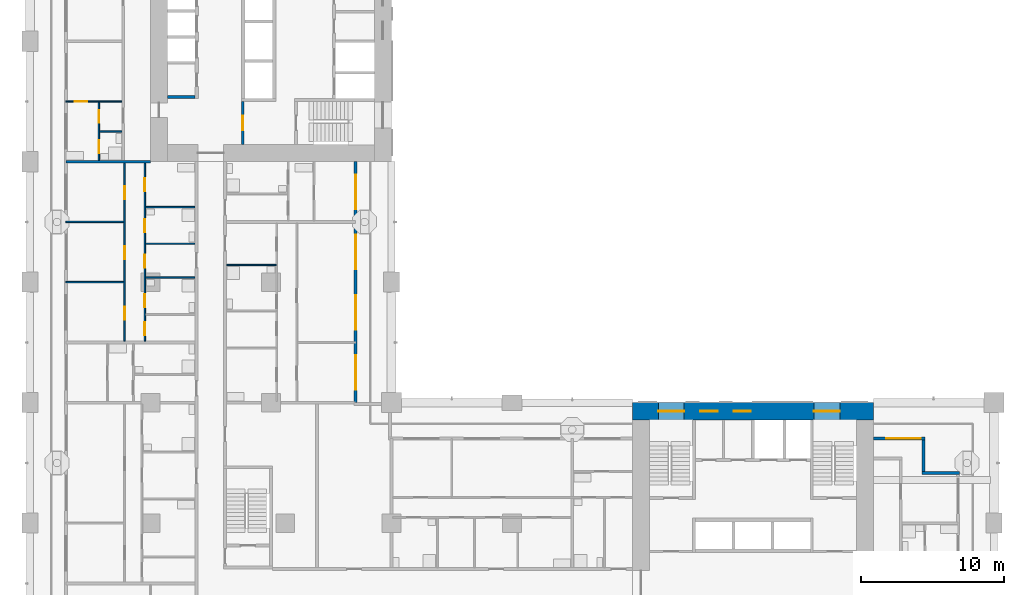
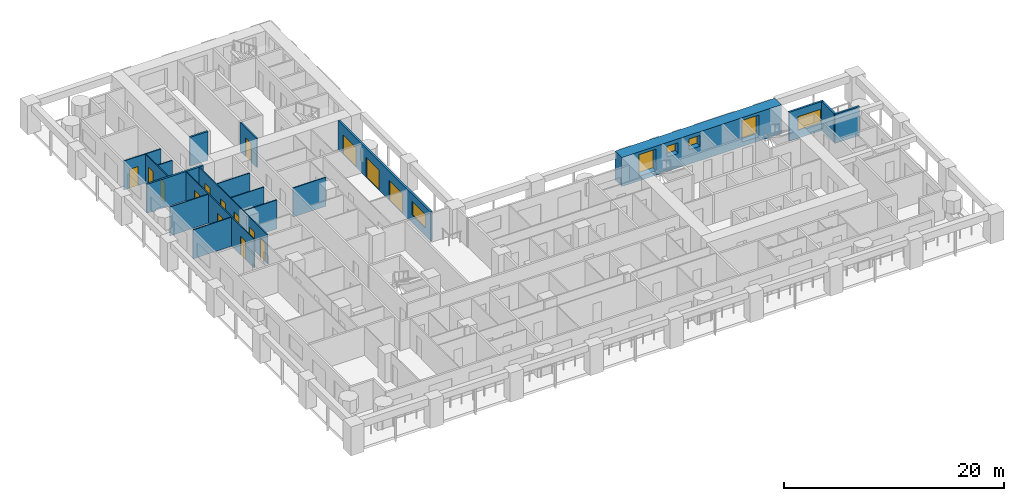
# One storey, part 8 of 21: 19 walls, 15 doors, 6 windows, 21 openings.
"""IFC4 building model written with IfcOpenShell, lengths in metres."""

from ifc_helpers import new_model, si_unit, direction, frame, frame_2d, origin, place, context, subcontext, project, spatial, rectangle, extrude, material, layer, layer_set, type_object, element, fill, save


model = new_model("IFC4")

# Units and contexts
model_context = context("Model", 3, precision=1e-05, world=origin(), true_north=direction((0.0, 1.0)))
body_context = subcontext(model_context, "Body", "Model", "MODEL_VIEW")
ifc_project = project(units=[si_unit("LENGTHUNIT", "METRE"), si_unit("AREAUNIT", "SQUARE_METRE"), si_unit("VOLUMEUNIT", "CUBIC_METRE"), si_unit("PLANEANGLEUNIT", "RADIAN"), si_unit("MASSUNIT", "GRAM", prefix="KILO")], contexts=[model_context])

# Site, building, storey
site_placement = place(None, origin())
site = spatial("IfcSite", under=ifc_project, at=site_placement, CompositionType="ELEMENT")
building_placement = place(site_placement, origin())
building = spatial("IfcBuilding", under=site, at=building_placement, Name="Vermilion Gate Residences", CompositionType="ELEMENT")
storey_placement = place(building_placement, frame((0.0, 0.0, 67.199951171875)))
storey = spatial("IfcBuildingStorey", under=building, at=storey_placement, Name="L16", CompositionType="ELEMENT", Elevation=67.199951171875)

# Wall, opening, door
ifc_material_1 = material(Name="Masonry blockwork", Category="masonry")
ifc_layer_1 = layer(ifc_material_1, 0.14990234375)
ifc_layer_set_1 = layer_set([ifc_layer_1], Name="BLOCKWORK PARTITION 150 EI 120")
wall_type_1 = type_object("IfcWallType", Name="BLOCKWORK PARTITION 150 EI 120", PredefinedType="PARTITIONING", material=ifc_layer_set_1)
wall_1_placement = place(storey_placement, frame((14.824951171875, 46.199951171875, 0.0), z_axis=(0.0, 0.0, 1.0), x_axis=(0.0, -1.0, 0.0)))
wall_1 = element("IfcWall", 1, at=wall_1_placement, inside=storey, type_object=wall_type_1, Name="Core room partition B16-VE-S", PredefinedType="PARTITIONING", context=body_context, shape_type="SweptSolid", body=[
    extrude(rectangle(XDim=3.0, YDim=0.14990234375, at=frame_2d((1.5, 0.0))), origin(), (0.0, 0.0, 1.0), 3.219970703125),
])
opening_1_placement = place(wall_1_placement, frame((1.0, 0.0, 0.0)))
opening_1 = element("IfcOpeningElement", 2, at=opening_1_placement, cuts=wall_1, Name="Opening DK16114", PredefinedType="OPENING", context=body_context, shape_type="SweptSolid", body=[
    extrude(rectangle(XDim=1.0, YDim=2.10009765625, at=frame_2d((0.5, 1.050048828125))), frame((0.0, 0.0849609375, 0.0), z_axis=(0.0, -1.0, 0.0), x_axis=(1.0, 0.0, 0.0)), (0.0, 0.0, 1.0), 0.169921875),
])
ifc_material_2 = material(Name="Steel", Category="steel")
door_type_1 = type_object("IfcDoorType", Name="FIRE DOOR FD60 1000 X 2100", OperationType="SINGLE_SWING_LEFT", PredefinedType="DOOR", material=ifc_material_2)
door_1_placement = place(opening_1_placement, frame((1.0, 0.0, 0.0), z_axis=(0.0, 0.0, 1.0), x_axis=(-1.0, 0.0, 0.0)))
door_1 = element("IfcDoor", 3, at=door_1_placement, inside=storey, type_object=door_type_1, Name="Stair vestibule door B16", OperationType="SINGLE_SWING_LEFT", OverallHeight=2.10009765625, OverallWidth=1.0, PredefinedType="DOOR", context=body_context, shape_type="SweptSolid", body=[
    extrude(rectangle(XDim=1.0, YDim=2.10009765625, at=frame_2d((0.5, 1.050048828125))), frame((0.0, 0.02490234375, 0.0), z_axis=(0.0, -1.0, 0.0), x_axis=(1.0, 0.0, 0.0)), (0.0, 0.0, 1.0), 0.050048828125),
])
fill(opening_1, door_1)

# Walls
ifc_material_3 = material(Name="Insulated steel stud wall with terracotta rainscreen", Category="masonry")
ifc_layer_2 = layer(ifc_material_3, 0.199951171875)
ifc_layer_set_2 = layer_set([ifc_layer_2], Name="EXTERNAL WALL 200 TERRACOTTA RAINSCREEN")
wall_type_2 = type_object("IfcWallType", Name="EXTERNAL WALL 200 TERRACOTTA RAINSCREEN", PredefinedType="SOLIDWALL", material=ifc_layer_set_2)
wall_2_placement = place(storey_placement, frame((64.800048828125, 20.300048828125, 0.0), z_axis=(0.0, 0.0, 1.0), x_axis=(-1.0, 0.0, 0.0)))
element("IfcWall", 4, at=wall_2_placement, inside=storey, type_object=wall_type_2, Name="External wall", PredefinedType="SOLIDWALL", context=body_context, shape_type="SweptSolid", body=[
    extrude(rectangle(XDim=2.60009765625, YDim=0.199951171875, at=frame_2d((1.300048828125, 0.0))), origin(), (0.0, 0.0, 1.0), 3.219970703125),
])
wall_3_placement = place(storey_placement, frame((62.300048828125, 20.39990234375, 0.0), z_axis=(0.0, 0.0, 1.0), x_axis=(0.0, 1.0, 0.0)))
element("IfcWall", 5, at=wall_3_placement, inside=storey, type_object=wall_type_2, Name="External wall", PredefinedType="SOLIDWALL", context=body_context, shape_type="SweptSolid", body=[
    extrude(rectangle(XDim=2.2001953125, YDim=0.199951171875, at=frame_2d((1.10009765625, 0.0))), origin(), (0.0, 0.0, 1.0), 3.219970703125),
])

# Wall, opening, window
wall_4_placement = place(storey_placement, frame((62.39990234375, 22.699951171875, 0.0), z_axis=(0.0, 0.0, 1.0), x_axis=(-1.0, 0.0, 0.0)))
wall_4 = element("IfcWall", 6, at=wall_4_placement, inside=storey, type_object=wall_type_2, Name="External wall", PredefinedType="SOLIDWALL", context=body_context, shape_type="SweptSolid", body=[
    extrude(rectangle(XDim=3.599853515625, YDim=0.199951171875, at=frame_2d((1.7998046875, 0.0))), origin(), (0.0, 0.0, 1.0), 3.219970703125),
])
opening_2_placement = place(wall_4_placement, frame((0.300048828125, 0.0, 0.89990234375)))
opening_2 = element("IfcOpeningElement", 7, at=opening_2_placement, cuts=wall_4, Name="Opening WE16032", PredefinedType="OPENING", context=body_context, shape_type="SweptSolid", body=[
    extrude(rectangle(XDim=2.39990234375, YDim=1.5, at=frame_2d((1.199951171875, 0.75))), frame((0.0, 0.10986328125, 0.0), z_axis=(0.0, -1.0, 0.0), x_axis=(1.0, 0.0, 0.0)), (0.0, 0.0, 1.0), 0.219970703125),
])
ifc_material_4 = material(Name="Aluminium and clear glass", Category="aluminium")
window_type_1 = type_object("IfcWindowType", Name="WINDOW 2400 X 1500", PartitioningType="SINGLE_PANEL", PredefinedType="WINDOW", material=ifc_material_4)
window_1_placement = place(opening_2_placement, origin())
window_1 = element("IfcWindow", 8, at=window_1_placement, inside=storey, type_object=window_type_1, Name="Window", OverallHeight=1.5, OverallWidth=2.39990234375, PartitioningType="SINGLE_PANEL", PredefinedType="WINDOW", context=body_context, shape_type="SweptSolid", body=[
    extrude(rectangle(XDim=2.39990234375, YDim=1.5, at=frame_2d((1.199951171875, 0.75))), frame((0.0, 0.030029296875, 0.0), z_axis=(0.0, -1.0, 0.0), x_axis=(1.0, 0.0, 0.0)), (0.0, 0.0, 1.0), 0.06005859375),
])
fill(opening_2, window_1)

# Wall, openings, doors, window
wall_5_placement = place(storey_placement, frame((22.699951171875, 25.199951171875, 0.0), z_axis=(0.0, 0.0, 1.0), x_axis=(0.0, 1.0, 0.0)))
wall_5 = element("IfcWall", 9, at=wall_5_placement, inside=storey, type_object=wall_type_2, Name="External wall", PredefinedType="SOLIDWALL", context=body_context, shape_type="SweptSolid", body=[
    extrude(rectangle(XDim=16.800048828125, YDim=0.199951171875, at=frame_2d((8.39990234375, 0.0))), origin(), (0.0, 0.0, 1.0), 3.219970703125),
])
opening_3_placement = place(wall_5_placement, frame((0.89990234375, 0.0, 0.89990234375)))
opening_3 = element("IfcOpeningElement", 10, at=opening_3_placement, cuts=wall_5, Name="Opening WE16037", PredefinedType="OPENING", context=body_context, shape_type="SweptSolid", body=[
    extrude(rectangle(XDim=2.39990234375, YDim=1.5, at=frame_2d((1.199951171875, 0.75))), frame((0.0, 0.10986328125, 0.0), z_axis=(0.0, -1.0, 0.0), x_axis=(1.0, 0.0, 0.0)), (0.0, 0.0, 1.0), 0.219970703125),
])
opening_4_placement = place(wall_5_placement, frame((5.10009765625, 0.0, 0.0)))
opening_4 = element("IfcOpeningElement", 11, at=opening_4_placement, cuts=wall_5, Name="Opening DE16038", PredefinedType="OPENING", context=body_context, shape_type="SweptSolid", body=[
    extrude(rectangle(XDim=2.39990234375, YDim=2.199951171875, at=frame_2d((1.199951171875, 1.10009765625))), frame((0.0, 0.10986328125, 0.0), z_axis=(0.0, -1.0, 0.0), x_axis=(1.0, 0.0, 0.0)), (0.0, 0.0, 1.0), 0.219970703125),
])
opening_5_placement = place(wall_5_placement, frame((9.300048828125, 0.0, 0.0)))
opening_5 = element("IfcOpeningElement", 12, at=opening_5_placement, cuts=wall_5, Name="Opening DE16039", PredefinedType="OPENING", context=body_context, shape_type="SweptSolid", body=[
    extrude(rectangle(XDim=2.39990234375, YDim=2.199951171875, at=frame_2d((1.199951171875, 1.10009765625))), frame((0.0, 0.10986328125, 0.0), z_axis=(0.0, -1.0, 0.0), x_axis=(1.0, 0.0, 0.0)), (0.0, 0.0, 1.0), 0.219970703125),
])
opening_6_placement = place(wall_5_placement, frame((13.5, 0.0, 0.0)))
opening_6 = element("IfcOpeningElement", 13, at=opening_6_placement, cuts=wall_5, Name="Opening DE16040", PredefinedType="OPENING", context=body_context, shape_type="SweptSolid", body=[
    extrude(rectangle(XDim=2.39990234375, YDim=2.199951171875, at=frame_2d((1.199951171875, 1.10009765625))), frame((0.0, 0.10986328125, 0.0), z_axis=(0.0, -1.0, 0.0), x_axis=(1.0, 0.0, 0.0)), (0.0, 0.0, 1.0), 0.219970703125),
])
ifc_material_5 = material(Name="Aluminium and clear glass", Category="aluminium")
door_type_2 = type_object("IfcDoorType", Name="SLIDING GLAZED DOOR 2400 X 2200", OperationType="DOUBLE_DOOR_SLIDING", PredefinedType="DOOR", material=ifc_material_5)
door_2_placement = place(opening_4_placement, origin())
door_2 = element("IfcDoor", 14, at=door_2_placement, inside=storey, type_object=door_type_2, Name="Loggia sliding door", OperationType="DOUBLE_DOOR_SLIDING", OverallHeight=2.199951171875, OverallWidth=2.39990234375, PredefinedType="DOOR", context=body_context, shape_type="SweptSolid", body=[
    extrude(rectangle(XDim=2.39990234375, YDim=2.199951171875, at=frame_2d((1.199951171875, 1.10009765625))), frame((0.0, 0.02490234375, 0.0), z_axis=(0.0, -1.0, 0.0), x_axis=(1.0, 0.0, 0.0)), (0.0, 0.0, 1.0), 0.050048828125),
])
fill(opening_4, door_2)
door_3_placement = place(opening_5_placement, origin())
door_3 = element("IfcDoor", 15, at=door_3_placement, inside=storey, type_object=door_type_2, Name="Loggia sliding door", OperationType="DOUBLE_DOOR_SLIDING", OverallHeight=2.199951171875, OverallWidth=2.39990234375, PredefinedType="DOOR", context=body_context, shape_type="SweptSolid", body=[
    extrude(rectangle(XDim=2.39990234375, YDim=2.199951171875, at=frame_2d((1.199951171875, 1.10009765625))), frame((0.0, 0.02490234375, 0.0), z_axis=(0.0, -1.0, 0.0), x_axis=(1.0, 0.0, 0.0)), (0.0, 0.0, 1.0), 0.050048828125),
])
fill(opening_5, door_3)
door_4_placement = place(opening_6_placement, origin())
door_4 = element("IfcDoor", 16, at=door_4_placement, inside=storey, type_object=door_type_2, Name="Loggia sliding door", OperationType="DOUBLE_DOOR_SLIDING", OverallHeight=2.199951171875, OverallWidth=2.39990234375, PredefinedType="DOOR", context=body_context, shape_type="SweptSolid", body=[
    extrude(rectangle(XDim=2.39990234375, YDim=2.199951171875, at=frame_2d((1.199951171875, 1.10009765625))), frame((0.0, 0.02490234375, 0.0), z_axis=(0.0, -1.0, 0.0), x_axis=(1.0, 0.0, 0.0)), (0.0, 0.0, 1.0), 0.050048828125),
])
fill(opening_6, door_4)
window_2_placement = place(opening_3_placement, origin())
window_2 = element("IfcWindow", 17, at=window_2_placement, inside=storey, type_object=window_type_1, Name="Window", OverallHeight=1.5, OverallWidth=2.39990234375, PartitioningType="SINGLE_PANEL", PredefinedType="WINDOW", context=body_context, shape_type="SweptSolid", body=[
    extrude(rectangle(XDim=2.39990234375, YDim=1.5, at=frame_2d((1.199951171875, 0.75))), frame((0.0, 0.030029296875, 0.0), z_axis=(0.0, -1.0, 0.0), x_axis=(1.0, 0.0, 0.0)), (0.0, 0.0, 1.0), 0.06005859375),
])
fill(opening_3, window_2)

# Walls
ifc_material_6 = material(Name="Plasterboard on steel studs", Category="steel")
ifc_layer_3 = layer(ifc_material_6, 0.10009765625)
ifc_layer_set_3 = layer_set([ifc_layer_3], Name="PARTITION 100")
wall_type_3 = type_object("IfcWallType", Name="PARTITION 100", PredefinedType="PARTITIONING", material=ifc_layer_set_3)
wall_6_placement = place(storey_placement, frame((2.5, 33.60009765625, 0.0), z_axis=(0.0, 0.0, 1.0), x_axis=(1.0, 0.0, 0.0)))
element("IfcWall", 18, at=wall_6_placement, inside=storey, type_object=wall_type_3, Name="Partition", PredefinedType="PARTITIONING", context=body_context, shape_type="SweptSolid", body=[
    extrude(rectangle(XDim=4.050048828125, YDim=0.10009765625, at=frame_2d((2.02490234375, 0.0))), origin(), (0.0, 0.0, 1.0), 3.219970703125),
])
for number, where, z_axis, x_axis, name in (
    (19, (8.050048828125, 33.919921875, 0.0), (0.0, 0.0, 1.0), (1.0, 0.0, 0.0), "Partition"),
    (20, (13.699951171875, 34.800048828125, 0.0), (0.0, 0.0, 1.0), (1.0, 0.0, 0.0), "Partition"),
    (21, (8.050048828125, 36.280029296875, 0.0), (0.0, 0.0, 1.0), (1.0, 0.0, 0.0), "Partition"),
):
    element("IfcWall", number, at=place(storey_placement, frame(where, z_axis=z_axis, x_axis=x_axis)), inside=storey, type_object=wall_type_3, Name=name, PredefinedType="PARTITIONING", context=body_context, shape_type="SweptSolid", body=[
        extrude(rectangle(XDim=3.449951171875, YDim=0.10009765625, at=frame_2d((1.72509765625, 0.0))), origin(), (0.0, 0.0, 1.0), 3.219970703125),
    ])
wall_7_placement = place(storey_placement, frame((2.5, 37.800048828125, 0.0), z_axis=(0.0, 0.0, 1.0), x_axis=(1.0, 0.0, 0.0)))
element("IfcWall", 22, at=wall_7_placement, inside=storey, type_object=wall_type_3, Name="Partition", PredefinedType="PARTITIONING", context=body_context, shape_type="SweptSolid", body=[
    extrude(rectangle(XDim=4.050048828125, YDim=0.10009765625, at=frame_2d((2.02490234375, 0.0))), origin(), (0.0, 0.0, 1.0), 3.219970703125),
])
wall_8_placement = place(storey_placement, frame((8.050048828125, 38.840087890625, 0.0), z_axis=(0.0, 0.0, 1.0), x_axis=(1.0, 0.0, 0.0)))
element("IfcWall", 23, at=wall_8_placement, inside=storey, type_object=wall_type_3, Name="Partition", PredefinedType="PARTITIONING", context=body_context, shape_type="SweptSolid", body=[
    extrude(rectangle(XDim=3.449951171875, YDim=0.10009765625, at=frame_2d((1.72509765625, 0.0))), origin(), (0.0, 0.0, 1.0), 3.219970703125),
])
wall_9_placement = place(storey_placement, frame((4.85009765625, 44.10009765625, 0.0), z_axis=(0.0, 0.0, 1.0), x_axis=(1.0, 0.0, 0.0)))
element("IfcWall", 24, at=wall_9_placement, inside=storey, type_object=wall_type_3, Name="Partition", PredefinedType="PARTITIONING", context=body_context, shape_type="SweptSolid", body=[
    extrude(rectangle(XDim=1.5498046875, YDim=0.10009765625, at=frame_2d((0.77490234375, 0.0))), origin(), (0.0, 0.0, 1.0), 3.219970703125),
])

# Wall, opening, door
wall_10_placement = place(storey_placement, frame((2.5, 46.199951171875, 0.0), z_axis=(0.0, 0.0, 1.0), x_axis=(1.0, 0.0, 0.0)))
wall_10 = element("IfcWall", 25, at=wall_10_placement, inside=storey, type_object=wall_type_3, Name="Partition", PredefinedType="PARTITIONING", context=body_context, shape_type="SweptSolid", body=[
    extrude(rectangle(XDim=3.89990234375, YDim=0.10009765625, at=frame_2d((1.949951171875, 0.0))), origin(), (0.0, 0.0, 1.0), 3.219970703125),
])
opening_7_placement = place(wall_10_placement, frame((0.60009765625, 0.0, 0.0)))
opening_7 = element("IfcOpeningElement", 26, at=opening_7_placement, cuts=wall_10, Name="Opening DA16042", PredefinedType="OPENING", context=body_context, shape_type="SweptSolid", body=[
    extrude(rectangle(XDim=0.89990234375, YDim=2.10009765625, at=frame_2d((0.449951171875, 1.050048828125))), frame((0.0, 0.06005859375, 0.0), z_axis=(0.0, -1.0, 0.0), x_axis=(1.0, 0.0, 0.0)), (0.0, 0.0, 1.0), 0.1201171875),
])
ifc_material_7 = material(Name="Timber", Category="wood")
door_type_3 = type_object("IfcDoorType", Name="INTERIOR DOOR 900 X 2100", OperationType="SINGLE_SWING_LEFT", PredefinedType="DOOR", material=ifc_material_7)
door_5_placement = place(opening_7_placement, frame((0.89990234375, 0.0, 0.0), z_axis=(0.0, 0.0, 1.0), x_axis=(-1.0, 0.0, 0.0)))
door_5 = element("IfcDoor", 27, at=door_5_placement, inside=storey, type_object=door_type_3, Name="Interior door", OperationType="SINGLE_SWING_RIGHT", OverallHeight=2.10009765625, OverallWidth=0.89990234375, PredefinedType="DOOR", context=body_context, shape_type="SweptSolid", body=[
    extrude(rectangle(XDim=0.89990234375, YDim=2.10009765625, at=frame_2d((0.449951171875, 1.050048828125))), frame((0.0, 0.02490234375, 0.0), z_axis=(0.0, -1.0, 0.0), x_axis=(1.0, 0.0, 0.0)), (0.0, 0.0, 1.0), 0.050048828125),
])
fill(opening_7, door_5)

# Wall, openings, doors
wall_11_placement = place(storey_placement, frame((4.800048828125, 42.10009765625, 0.0), z_axis=(0.0, 0.0, 1.0), x_axis=(0.0, 1.0, 0.0)))
wall_11 = element("IfcWall", 28, at=wall_11_placement, inside=storey, type_object=wall_type_3, Name="Partition", PredefinedType="PARTITIONING", context=body_context, shape_type="SweptSolid", body=[
    extrude(rectangle(XDim=4.0498046875, YDim=0.10009765625, at=frame_2d((2.02490234375, 0.0))), origin(), (0.0, 0.0, 1.0), 3.219970703125),
])
opening_8_placement = place(wall_11_placement, frame((2.60009765625, 0.0, 0.0)))
opening_8 = element("IfcOpeningElement", 29, at=opening_8_placement, cuts=wall_11, Name="Opening DA16043", PredefinedType="OPENING", context=body_context, shape_type="SweptSolid", body=[
    extrude(rectangle(XDim=0.89990234375, YDim=2.10009765625, at=frame_2d((0.449951171875, 1.050048828125))), frame((0.0, 0.06005859375, 0.0), z_axis=(0.0, -1.0, 0.0), x_axis=(1.0, 0.0, 0.0)), (0.0, 0.0, 1.0), 0.1201171875),
])
opening_9_placement = place(wall_11_placement, frame((0.5, 0.0, 0.0)))
opening_9 = element("IfcOpeningElement", 30, at=opening_9_placement, cuts=wall_11, Name="Opening DA16044", PredefinedType="OPENING", context=body_context, shape_type="SweptSolid", body=[
    extrude(rectangle(XDim=0.89990234375, YDim=2.10009765625, at=frame_2d((0.449951171875, 1.050048828125))), frame((0.0, 0.06005859375, 0.0), z_axis=(0.0, -1.0, 0.0), x_axis=(1.0, 0.0, 0.0)), (0.0, 0.0, 1.0), 0.1201171875),
])
door_6_placement = place(opening_8_placement, origin())
door_6 = element("IfcDoor", 31, at=door_6_placement, inside=storey, type_object=door_type_3, Name="Interior door", OperationType="SINGLE_SWING_RIGHT", OverallHeight=2.10009765625, OverallWidth=0.89990234375, PredefinedType="DOOR", context=body_context, shape_type="SweptSolid", body=[
    extrude(rectangle(XDim=0.89990234375, YDim=2.10009765625, at=frame_2d((0.449951171875, 1.050048828125))), frame((0.0, 0.02490234375, 0.0), z_axis=(0.0, -1.0, 0.0), x_axis=(1.0, 0.0, 0.0)), (0.0, 0.0, 1.0), 0.050048828125),
])
fill(opening_8, door_6)
door_7_placement = place(opening_9_placement, frame((0.89990234375, 0.0, 0.0), z_axis=(0.0, 0.0, 1.0), x_axis=(-1.0, 0.0, 0.0)))
door_7 = element("IfcDoor", 32, at=door_7_placement, inside=storey, type_object=door_type_3, Name="Interior door", OperationType="SINGLE_SWING_RIGHT", OverallHeight=2.10009765625, OverallWidth=0.89990234375, PredefinedType="DOOR", context=body_context, shape_type="SweptSolid", body=[
    extrude(rectangle(XDim=0.89990234375, YDim=2.10009765625, at=frame_2d((0.449951171875, 1.050048828125))), frame((0.0, 0.02490234375, 0.0), z_axis=(0.0, -1.0, 0.0), x_axis=(1.0, 0.0, 0.0)), (0.0, 0.0, 1.0), 0.050048828125),
])
fill(opening_9, door_7)

wall_12_placement = place(storey_placement, frame((6.60009765625, 29.5, 0.0), z_axis=(0.0, 0.0, 1.0), x_axis=(0.0, 1.0, 0.0)))
wall_12 = element("IfcWall", 33, at=wall_12_placement, inside=storey, type_object=wall_type_3, Name="Partition", PredefinedType="PARTITIONING", context=body_context, shape_type="SweptSolid", body=[
    extrude(rectangle(XDim=12.39990234375, YDim=0.10009765625, at=frame_2d((6.199951171875, 0.0))), origin(), (0.0, 0.0, 1.0), 3.219970703125),
])
opening_10_placement = place(wall_12_placement, frame((1.5, 0.0, 0.0)))
opening_10 = element("IfcOpeningElement", 34, at=opening_10_placement, cuts=wall_12, Name="Opening DA16050", PredefinedType="OPENING", context=body_context, shape_type="SweptSolid", body=[
    extrude(rectangle(XDim=0.89990234375, YDim=2.10009765625, at=frame_2d((0.449951171875, 1.050048828125))), frame((0.0, 0.06005859375, 0.0), z_axis=(0.0, -1.0, 0.0), x_axis=(1.0, 0.0, 0.0)), (0.0, 0.0, 1.0), 0.1201171875),
])
opening_11_placement = place(wall_12_placement, frame((5.699951171875, 0.0, 0.0)))
opening_11 = element("IfcOpeningElement", 35, at=opening_11_placement, cuts=wall_12, Name="Opening DA16051", PredefinedType="OPENING", context=body_context, shape_type="SweptSolid", body=[
    extrude(rectangle(XDim=0.89990234375, YDim=2.10009765625, at=frame_2d((0.449951171875, 1.050048828125))), frame((0.0, 0.06005859375, 0.0), z_axis=(0.0, -1.0, 0.0), x_axis=(1.0, 0.0, 0.0)), (0.0, 0.0, 1.0), 0.1201171875),
])
opening_12_placement = place(wall_12_placement, frame((9.89990234375, 0.0, 0.0)))
opening_12 = element("IfcOpeningElement", 36, at=opening_12_placement, cuts=wall_12, Name="Opening DA16052", PredefinedType="OPENING", context=body_context, shape_type="SweptSolid", body=[
    extrude(rectangle(XDim=0.89990234375, YDim=2.10009765625, at=frame_2d((0.449951171875, 1.050048828125))), frame((0.0, 0.06005859375, 0.0), z_axis=(0.0, -1.0, 0.0), x_axis=(1.0, 0.0, 0.0)), (0.0, 0.0, 1.0), 0.1201171875),
])
door_8_placement = place(opening_10_placement, origin())
door_8 = element("IfcDoor", 37, at=door_8_placement, inside=storey, type_object=door_type_3, Name="Interior door", OperationType="SINGLE_SWING_LEFT", OverallHeight=2.10009765625, OverallWidth=0.89990234375, PredefinedType="DOOR", context=body_context, shape_type="SweptSolid", body=[
    extrude(rectangle(XDim=0.89990234375, YDim=2.10009765625, at=frame_2d((0.449951171875, 1.050048828125))), frame((0.0, 0.02490234375, 0.0), z_axis=(0.0, -1.0, 0.0), x_axis=(1.0, 0.0, 0.0)), (0.0, 0.0, 1.0), 0.050048828125),
])
fill(opening_10, door_8)
door_9_placement = place(opening_11_placement, origin())
door_9 = element("IfcDoor", 38, at=door_9_placement, inside=storey, type_object=door_type_3, Name="Interior door", OperationType="SINGLE_SWING_LEFT", OverallHeight=2.10009765625, OverallWidth=0.89990234375, PredefinedType="DOOR", context=body_context, shape_type="SweptSolid", body=[
    extrude(rectangle(XDim=0.89990234375, YDim=2.10009765625, at=frame_2d((0.449951171875, 1.050048828125))), frame((0.0, 0.02490234375, 0.0), z_axis=(0.0, -1.0, 0.0), x_axis=(1.0, 0.0, 0.0)), (0.0, 0.0, 1.0), 0.050048828125),
])
fill(opening_11, door_9)
door_10_placement = place(opening_12_placement, origin())
door_10 = element("IfcDoor", 39, at=door_10_placement, inside=storey, type_object=door_type_3, Name="Interior door", OperationType="SINGLE_SWING_LEFT", OverallHeight=2.10009765625, OverallWidth=0.89990234375, PredefinedType="DOOR", context=body_context, shape_type="SweptSolid", body=[
    extrude(rectangle(XDim=0.89990234375, YDim=2.10009765625, at=frame_2d((0.449951171875, 1.050048828125))), frame((0.0, 0.02490234375, 0.0), z_axis=(0.0, -1.0, 0.0), x_axis=(1.0, 0.0, 0.0)), (0.0, 0.0, 1.0), 0.050048828125),
])
fill(opening_12, door_10)

wall_13_placement = place(storey_placement, frame((8.0, 29.5, 0.0), z_axis=(0.0, 0.0, 1.0), x_axis=(0.0, 1.0, 0.0)))
wall_13 = element("IfcWall", 40, at=wall_13_placement, inside=storey, type_object=wall_type_3, Name="Partition", PredefinedType="PARTITIONING", context=body_context, shape_type="SweptSolid", body=[
    extrude(rectangle(XDim=12.39990234375, YDim=0.10009765625, at=frame_2d((6.199951171875, 0.0))), origin(), (0.0, 0.0, 1.0), 3.219970703125),
])
opening_13_placement = place(wall_13_placement, frame((5.1201171875, 0.0, 0.0)))
opening_13 = element("IfcOpeningElement", 41, at=opening_13_placement, cuts=wall_13, Name="Opening DA16059", PredefinedType="OPENING", context=body_context, shape_type="SweptSolid", body=[
    extrude(rectangle(XDim=0.89990234375, YDim=2.10009765625, at=frame_2d((0.449951171875, 1.050048828125))), frame((0.0, 0.06005859375, 0.0), z_axis=(0.0, -1.0, 0.0), x_axis=(1.0, 0.0, 0.0)), (0.0, 0.0, 1.0), 0.1201171875),
])
opening_14_placement = place(wall_13_placement, frame((0.39990234375, 0.0, 0.0)))
opening_14 = element("IfcOpeningElement", 42, at=opening_14_placement, cuts=wall_13, Name="Opening DA16060", PredefinedType="OPENING", context=body_context, shape_type="SweptSolid", body=[
    extrude(rectangle(XDim=0.89990234375, YDim=2.10009765625, at=frame_2d((0.449951171875, 1.050048828125))), frame((0.0, 0.06005859375, 0.0), z_axis=(0.0, -1.0, 0.0), x_axis=(1.0, 0.0, 0.0)), (0.0, 0.0, 1.0), 0.1201171875),
])
opening_15_placement = place(wall_13_placement, frame((2.360107421875, 0.0, 0.0)))
opening_15 = element("IfcOpeningElement", 43, at=opening_15_placement, cuts=wall_13, Name="Opening DA16061", PredefinedType="OPENING", context=body_context, shape_type="SweptSolid", body=[
    extrude(rectangle(XDim=0.89990234375, YDim=2.10009765625, at=frame_2d((0.449951171875, 1.050048828125))), frame((0.0, 0.06005859375, 0.0), z_axis=(0.0, -1.0, 0.0), x_axis=(1.0, 0.0, 0.0)), (0.0, 0.0, 1.0), 0.1201171875),
])
opening_16_placement = place(wall_13_placement, frame((7.580078125, 0.0, 0.0)))
opening_16 = element("IfcOpeningElement", 44, at=opening_16_placement, cuts=wall_13, Name="Opening DA16062", PredefinedType="OPENING", context=body_context, shape_type="SweptSolid", body=[
    extrude(rectangle(XDim=0.89990234375, YDim=2.10009765625, at=frame_2d((0.449951171875, 1.050048828125))), frame((0.0, 0.06005859375, 0.0), z_axis=(0.0, -1.0, 0.0), x_axis=(1.0, 0.0, 0.0)), (0.0, 0.0, 1.0), 0.1201171875),
])
opening_17_placement = place(wall_13_placement, frame((10.43994140625, 0.0, 0.0)))
opening_17 = element("IfcOpeningElement", 45, at=opening_17_placement, cuts=wall_13, Name="Opening DA16063", PredefinedType="OPENING", context=body_context, shape_type="SweptSolid", body=[
    extrude(rectangle(XDim=0.89990234375, YDim=2.10009765625, at=frame_2d((0.449951171875, 1.050048828125))), frame((0.0, 0.06005859375, 0.0), z_axis=(0.0, -1.0, 0.0), x_axis=(1.0, 0.0, 0.0)), (0.0, 0.0, 1.0), 0.1201171875),
])
door_11_placement = place(opening_13_placement, frame((0.89990234375, 0.0, 0.0), z_axis=(0.0, 0.0, 1.0), x_axis=(-1.0, 0.0, 0.0)))
door_11 = element("IfcDoor", 46, at=door_11_placement, inside=storey, type_object=door_type_3, Name="Interior door", OperationType="SINGLE_SWING_RIGHT", OverallHeight=2.10009765625, OverallWidth=0.89990234375, PredefinedType="DOOR", context=body_context, shape_type="SweptSolid", body=[
    extrude(rectangle(XDim=0.89990234375, YDim=2.10009765625, at=frame_2d((0.449951171875, 1.050048828125))), frame((0.0, 0.02490234375, 0.0), z_axis=(0.0, -1.0, 0.0), x_axis=(1.0, 0.0, 0.0)), (0.0, 0.0, 1.0), 0.050048828125),
])
fill(opening_13, door_11)
door_12_placement = place(opening_14_placement, frame((0.89990234375, 0.0, 0.0), z_axis=(0.0, 0.0, 1.0), x_axis=(-1.0, 0.0, 0.0)))
door_12 = element("IfcDoor", 47, at=door_12_placement, inside=storey, type_object=door_type_3, Name="Interior door", OperationType="SINGLE_SWING_RIGHT", OverallHeight=2.10009765625, OverallWidth=0.89990234375, PredefinedType="DOOR", context=body_context, shape_type="SweptSolid", body=[
    extrude(rectangle(XDim=0.89990234375, YDim=2.10009765625, at=frame_2d((0.449951171875, 1.050048828125))), frame((0.0, 0.02490234375, 0.0), z_axis=(0.0, -1.0, 0.0), x_axis=(1.0, 0.0, 0.0)), (0.0, 0.0, 1.0), 0.050048828125),
])
fill(opening_14, door_12)
door_13_placement = place(opening_15_placement, frame((0.89990234375, 0.0, 0.0), z_axis=(0.0, 0.0, 1.0), x_axis=(-1.0, 0.0, 0.0)))
door_13 = element("IfcDoor", 48, at=door_13_placement, inside=storey, type_object=door_type_3, Name="Interior door", OperationType="SINGLE_SWING_LEFT", OverallHeight=2.10009765625, OverallWidth=0.89990234375, PredefinedType="DOOR", context=body_context, shape_type="SweptSolid", body=[
    extrude(rectangle(XDim=0.89990234375, YDim=2.10009765625, at=frame_2d((0.449951171875, 1.050048828125))), frame((0.0, 0.02490234375, 0.0), z_axis=(0.0, -1.0, 0.0), x_axis=(1.0, 0.0, 0.0)), (0.0, 0.0, 1.0), 0.050048828125),
])
fill(opening_15, door_13)
door_14_placement = place(opening_16_placement, frame((0.89990234375, 0.0, 0.0), z_axis=(0.0, 0.0, 1.0), x_axis=(-1.0, 0.0, 0.0)))
door_14 = element("IfcDoor", 49, at=door_14_placement, inside=storey, type_object=door_type_3, Name="Interior door", OperationType="SINGLE_SWING_LEFT", OverallHeight=2.10009765625, OverallWidth=0.89990234375, PredefinedType="DOOR", context=body_context, shape_type="SweptSolid", body=[
    extrude(rectangle(XDim=0.89990234375, YDim=2.10009765625, at=frame_2d((0.449951171875, 1.050048828125))), frame((0.0, 0.02490234375, 0.0), z_axis=(0.0, -1.0, 0.0), x_axis=(1.0, 0.0, 0.0)), (0.0, 0.0, 1.0), 0.050048828125),
])
fill(opening_16, door_14)
door_15_placement = place(opening_17_placement, frame((0.89990234375, 0.0, 0.0), z_axis=(0.0, 0.0, 1.0), x_axis=(-1.0, 0.0, 0.0)))
door_15 = element("IfcDoor", 50, at=door_15_placement, inside=storey, type_object=door_type_3, Name="Interior door", OperationType="SINGLE_SWING_RIGHT", OverallHeight=2.10009765625, OverallWidth=0.89990234375, PredefinedType="DOOR", context=body_context, shape_type="SweptSolid", body=[
    extrude(rectangle(XDim=0.89990234375, YDim=2.10009765625, at=frame_2d((0.449951171875, 1.050048828125))), frame((0.0, 0.02490234375, 0.0), z_axis=(0.0, -1.0, 0.0), x_axis=(1.0, 0.0, 0.0)), (0.0, 0.0, 1.0), 0.050048828125),
])
fill(opening_17, door_15)

# Walls
ifc_material_8 = material(Name="Fire-rated plasterboard on steel studs", Category="steel")
ifc_layer_4 = layer(ifc_material_8, 0.199951171875)
ifc_layer_set_4 = layer_set([ifc_layer_4], Name="PARTY WALL 200 EI 120")
wall_type_4 = type_object("IfcWallType", Name="PARTY WALL 200 EI 120", PredefinedType="PARTITIONING", material=ifc_layer_set_4)
wall_14_placement = place(storey_placement, frame((2.5, 42.0, 0.0), z_axis=(0.0, 0.0, 1.0), x_axis=(1.0, 0.0, 0.0)))
element("IfcWall", 51, at=wall_14_placement, inside=storey, type_object=wall_type_4, Name="Party and corridor wall", PredefinedType="PARTITIONING", context=body_context, shape_type="SweptSolid", body=[
    extrude(rectangle(XDim=5.89990234375, YDim=0.199951171875, at=frame_2d((2.949951171875, 0.0))), origin(), (0.0, 0.0, 1.0), 3.219970703125),
])
ifc_material_9 = material(Name="Concrete C60", Category="concrete")
ifc_layer_5 = layer(ifc_material_9, 0.199951171875)
ifc_layer_set_5 = layer_set([ifc_layer_5], Name="RC CORE INTERNAL WALL 200 C60")
wall_type_5 = type_object("IfcWallType", Name="RC CORE INTERNAL WALL 200 C60", PredefinedType="SHEAR", material=ifc_layer_set_5)
wall_15_placement = place(storey_placement, frame((9.60009765625, 46.5, 0.0), z_axis=(0.0, 0.0, 1.0), x_axis=(1.0, 0.0, 0.0)))
element("IfcWall", 52, at=wall_15_placement, inside=storey, type_object=wall_type_5, Name="Core internal wall B16-LR-DE", PredefinedType="SHEAR", context=body_context, shape_type="SweptSolid", body=[
    extrude(rectangle(XDim=1.89990234375, YDim=0.199951171875, at=frame_2d((0.949951171875, 0.0))), origin(), (0.0, 0.0, 1.0), 3.219970703125),
])

# Wall, openings, windows
ifc_material_10 = material(Name="Concrete C80 red-oxide pigmented", Category="concrete")
ifc_layer_6 = layer(ifc_material_10, 1.199951171875)
ifc_layer_set_6 = layer_set([ifc_layer_6], Name="RC CORE WALL 1200 C80 RED OXIDE")
wall_type_6 = type_object("IfcWallType", Name="RC CORE WALL 1200 C80 RED OXIDE", PredefinedType="SHEAR", material=ifc_layer_set_6)
wall_16_placement = place(storey_placement, frame((42.0, 24.60009765625, 0.0), z_axis=(0.0, 0.0, 1.0), x_axis=(1.0, 0.0, 0.0)))
wall_16 = element("IfcWall", 53, at=wall_16_placement, inside=storey, type_object=wall_type_6, Name="Core wall A16-OUT-B1", PredefinedType="SHEAR", context=body_context, shape_type="SweptSolid", body=[
    extrude(rectangle(XDim=16.800048828125, YDim=1.199951171875, at=frame_2d((8.39990234375, 0.0))), origin(), (0.0, 0.0, 1.0), 3.219970703125),
])
opening_18_placement = place(wall_16_placement, frame((1.800048828125, 0.0, 0.5)))
opening_18 = element("IfcOpeningElement", 54, at=opening_18_placement, cuts=wall_16, Name="Opening WKA1601", PredefinedType="OPENING", context=body_context, shape_type="SweptSolid", body=[
    extrude(rectangle(XDim=1.800048828125, YDim=2.39990234375, at=frame_2d((0.89990234375, 1.199951171875))), frame((0.0, 0.60986328125, 0.0), z_axis=(0.0, -1.0, 0.0), x_axis=(1.0, 0.0, 0.0)), (0.0, 0.0, 1.0), 1.219970703125),
])
opening_19_placement = place(wall_16_placement, frame((4.737548828125, 0.0, 1.60009765625)))
opening_19 = element("IfcOpeningElement", 55, at=opening_19_placement, cuts=wall_16, Name="Opening WKA1602", PredefinedType="OPENING", context=body_context, shape_type="SweptSolid", body=[
    extrude(rectangle(XDim=1.199951171875, YDim=1.199951171875, at=frame_2d((0.60009765625, 0.60009765625))), frame((0.0, 0.60986328125, 0.0), z_axis=(0.0, -1.0, 0.0), x_axis=(1.0, 0.0, 0.0)), (0.0, 0.0, 1.0), 1.219970703125),
])
opening_20_placement = place(wall_16_placement, frame((7.050048828125, 0.0, 1.60009765625)))
opening_20 = element("IfcOpeningElement", 56, at=opening_20_placement, cuts=wall_16, Name="Opening WKA1603", PredefinedType="OPENING", context=body_context, shape_type="SweptSolid", body=[
    extrude(rectangle(XDim=1.199951171875, YDim=1.199951171875, at=frame_2d((0.60009765625, 0.60009765625))), frame((0.0, 0.60986328125, 0.0), z_axis=(0.0, -1.0, 0.0), x_axis=(1.0, 0.0, 0.0)), (0.0, 0.0, 1.0), 1.219970703125),
])
opening_21_placement = place(wall_16_placement, frame((12.64990234375, 0.0, 0.5)))
opening_21 = element("IfcOpeningElement", 57, at=opening_21_placement, cuts=wall_16, Name="Opening WKA1604", PredefinedType="OPENING", context=body_context, shape_type="SweptSolid", body=[
    extrude(rectangle(XDim=1.800048828125, YDim=2.39990234375, at=frame_2d((0.89990234375, 1.199951171875))), frame((0.0, 0.60986328125, 0.0), z_axis=(0.0, -1.0, 0.0), x_axis=(1.0, 0.0, 0.0)), (0.0, 0.0, 1.0), 1.219970703125),
])
ifc_material_11 = material(Name="Aluminium frame with louvre blades", Category="aluminium")
window_type_2 = type_object("IfcWindowType", Name="CORE LOUVRE 1200 X 1200", PartitioningType="SINGLE_PANEL", PredefinedType="WINDOW", material=ifc_material_11)
window_3_placement = place(opening_19_placement, origin())
window_3 = element("IfcWindow", 58, at=window_3_placement, inside=storey, type_object=window_type_2, Name="Core louvre", OverallHeight=1.199951171875, OverallWidth=1.199951171875, PartitioningType="SINGLE_PANEL", PredefinedType="WINDOW", context=body_context, shape_type="SweptSolid", body=[
    extrude(rectangle(XDim=1.199951171875, YDim=1.199951171875, at=frame_2d((0.60009765625, 0.60009765625))), frame((0.0, 0.030029296875, 0.0), z_axis=(0.0, -1.0, 0.0), x_axis=(1.0, 0.0, 0.0)), (0.0, 0.0, 1.0), 0.06005859375),
])
fill(opening_19, window_3)
window_4_placement = place(opening_20_placement, origin())
window_4 = element("IfcWindow", 59, at=window_4_placement, inside=storey, type_object=window_type_2, Name="Core louvre", OverallHeight=1.199951171875, OverallWidth=1.199951171875, PartitioningType="SINGLE_PANEL", PredefinedType="WINDOW", context=body_context, shape_type="SweptSolid", body=[
    extrude(rectangle(XDim=1.199951171875, YDim=1.199951171875, at=frame_2d((0.60009765625, 0.60009765625))), frame((0.0, 0.030029296875, 0.0), z_axis=(0.0, -1.0, 0.0), x_axis=(1.0, 0.0, 0.0)), (0.0, 0.0, 1.0), 0.06005859375),
])
fill(opening_20, window_4)
ifc_material_12 = material(Name="Aluminium and clear glass", Category="aluminium")
window_type_3 = type_object("IfcWindowType", Name="CORE STAIR WINDOW 1800 X 2400", PartitioningType="SINGLE_PANEL", PredefinedType="WINDOW", material=ifc_material_12)
window_5_placement = place(opening_18_placement, origin())
window_5 = element("IfcWindow", 60, at=window_5_placement, inside=storey, type_object=window_type_3, Name="Core stair window", OverallHeight=2.39990234375, OverallWidth=1.800048828125, PartitioningType="SINGLE_PANEL", PredefinedType="WINDOW", context=body_context, shape_type="SweptSolid", body=[
    extrude(rectangle(XDim=1.800048828125, YDim=2.39990234375, at=frame_2d((0.89990234375, 1.199951171875))), frame((0.0, 0.030029296875, 0.0), z_axis=(0.0, -1.0, 0.0), x_axis=(1.0, 0.0, 0.0)), (0.0, 0.0, 1.0), 0.06005859375),
])
fill(opening_18, window_5)
window_6_placement = place(opening_21_placement, origin())
window_6 = element("IfcWindow", 61, at=window_6_placement, inside=storey, type_object=window_type_3, Name="Core stair window", OverallHeight=2.39990234375, OverallWidth=1.800048828125, PartitioningType="SINGLE_PANEL", PredefinedType="WINDOW", context=body_context, shape_type="SweptSolid", body=[
    extrude(rectangle(XDim=1.800048828125, YDim=2.39990234375, at=frame_2d((0.89990234375, 1.199951171875))), frame((0.0, 0.030029296875, 0.0), z_axis=(0.0, -1.0, 0.0), x_axis=(1.0, 0.0, 0.0)), (0.0, 0.0, 1.0), 0.06005859375),
])
fill(opening_21, window_6)

save(model, "model.ifc")
